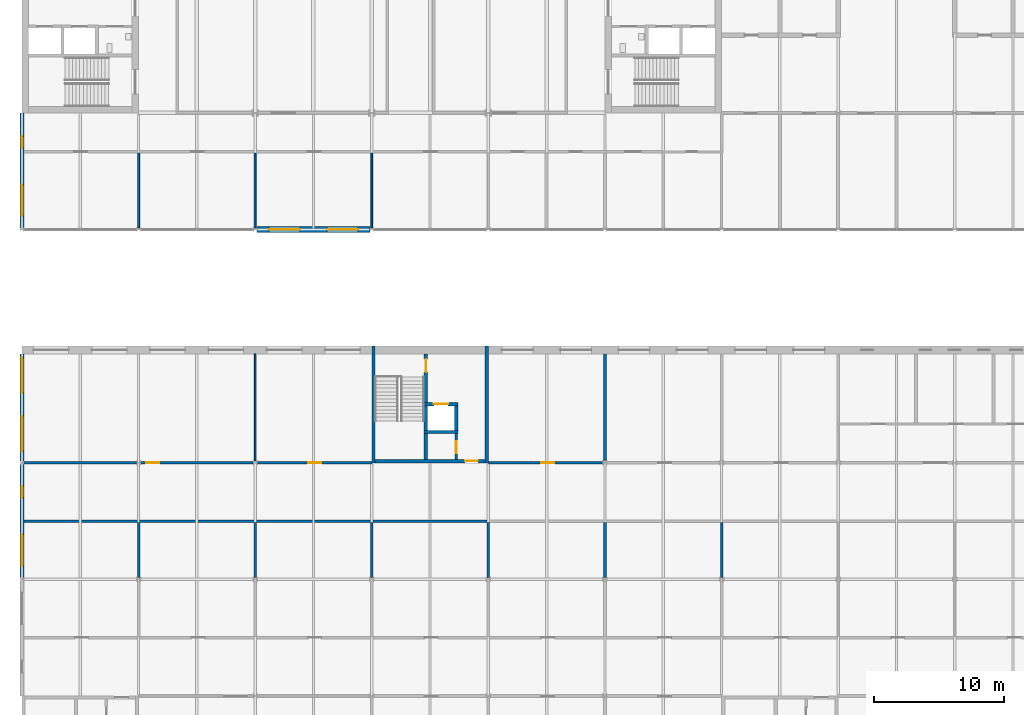
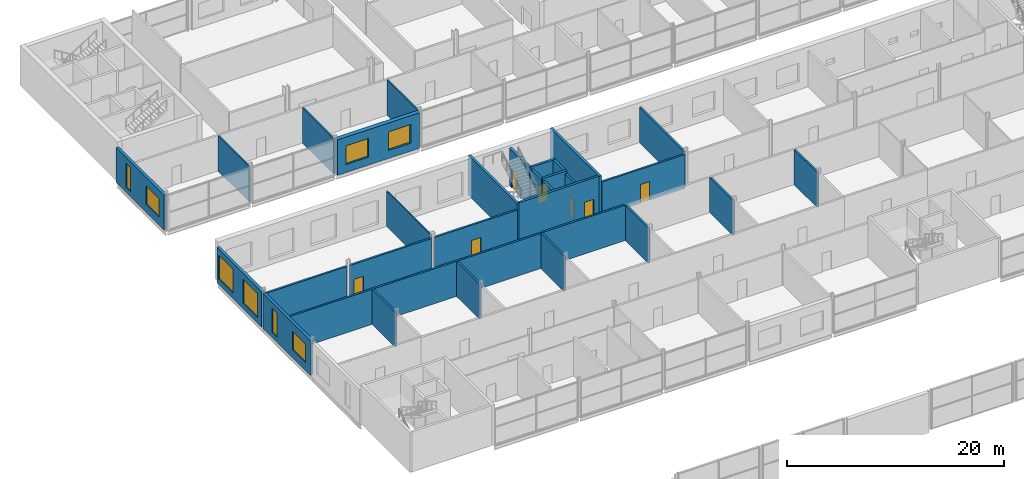
# One storey, part 71 of 97: 29 walls, 8 windows, 7 doors, 15 openings.
"""IFC4 building model written with IfcOpenShell, lengths in metres."""

import ifcopenshell
import ifcopenshell.guid

model = None  # the IFC model being written
_history = None  # IfcOwnerHistory: only IFC2X3 demands one
_inside = {}  # id of a spatial element -> (the spatial element, [elements in it])
_under = {}  # id of a project, library or spatial element -> (it, [spatial elements below it])
_declared = {}  # id of a project -> (the project, [libraries it declares])
_typed = {}  # id of a type object -> (the type object, [elements of that type])
_made_of = {}  # id of a material, layer set ... -> (it, [elements and type objects made of it])


def new_model(schema):
    """Start an empty IFC model of exactly this schema.

    Asked for "IFC4X3", IfcOpenShell would pick the latest addendum, in which some entities
    have other attributes; the version numbers below select the first issue.
    IFC2X3 requires an IfcOwnerHistory on every rooted entity: one is made here for all.
    """
    global model, _history
    if schema == "IFC4X3":
        model = ifcopenshell.file(schema_version=(4, 3, 0, 0))
    else:
        model = ifcopenshell.file(schema=schema)
    _inside.clear()
    _under.clear()
    _declared.clear()
    _typed.clear()
    _made_of.clear()
    _history = None
    if model.schema == "IFC2X3":
        org = make("IfcOrganization", Name="unknown")
        user = make(
            "IfcPersonAndOrganization",
            ThePerson=make("IfcPerson", FamilyName="unknown"),
            TheOrganization=org,
        )
        app = make(
            "IfcApplication",
            ApplicationDeveloper=org,
            Version="unknown",
            ApplicationFullName="unknown",
            ApplicationIdentifier="unknown",
        )
        _history = make(
            "IfcOwnerHistory",
            OwningUser=user,
            OwningApplication=app,
            ChangeAction="ADDED",
            CreationDate=0,
        )
    return model


def make(cls, **values):
    """One entity of the class cls with the attributes given. An attribute that is None is left unset."""
    return model.create_entity(
        cls, **{name: value for name, value in values.items() if value is not None}
    )


def rooted(cls, **values):
    """An entity with a GlobalId (a new one), such as an element, a storey or a relation."""
    return make(cls, GlobalId=ifcopenshell.guid.new(), OwnerHistory=_history, **values)


def si_unit(unit_type, name, prefix=None):
    """IfcSIUnit, for example si_unit("LENGTHUNIT", "METRE", prefix="MILLI")."""
    return make("IfcSIUnit", UnitType=unit_type, Prefix=prefix, Name=name)


def assignment(units):
    """IfcUnitAssignment: the units of a project."""
    return None if units is None else make("IfcUnitAssignment", Units=units)


def point(xyz):
    """IfcCartesianPoint."""
    return None if xyz is None else make("IfcCartesianPoint", Coordinates=xyz)


def direction(xyz):
    """IfcDirection."""
    return None if xyz is None else make("IfcDirection", DirectionRatios=xyz)


def frame(location, z_axis=None, x_axis=None):
    """IfcAxis2Placement3D, a coordinate frame: its origin and axes. An axis left out is left unset."""
    return make(
        "IfcAxis2Placement3D",
        Location=point(location),
        Axis=direction(z_axis),
        RefDirection=direction(x_axis),
    )


def frame_2d(location, x_axis=None):
    """IfcAxis2Placement2D, a coordinate frame in the plane: its origin and x axis."""
    return make(
        "IfcAxis2Placement2D", Location=point(location), RefDirection=direction(x_axis)
    )


def origin():
    """The frame at (0, 0, 0) with its axes left unset."""
    return frame((0.0, 0.0, 0.0))


def place(relative_to, where):
    """IfcLocalPlacement: puts the frame where relative to a parent placement (None: the world)."""
    return make(
        "IfcLocalPlacement", PlacementRelTo=relative_to, RelativePlacement=where
    )


def context(
    kind, dimensions, precision=None, world=None, true_north=None, identifier=None
):
    """IfcGeometricRepresentationContext, for example the 3D "Model" context."""
    return make(
        "IfcGeometricRepresentationContext",
        ContextIdentifier=identifier,
        ContextType=kind,
        CoordinateSpaceDimension=dimensions,
        Precision=precision,
        WorldCoordinateSystem=world,
        TrueNorth=true_north,
    )


def subcontext(parent, identifier, kind, view, scale=None):
    """IfcGeometricRepresentationSubContext, for example "Body" below "Model"."""
    return make(
        "IfcGeometricRepresentationSubContext",
        ContextIdentifier=identifier,
        ContextType=kind,
        ParentContext=parent,
        TargetScale=scale,
        TargetView=view,
    )


def project(units=None, contexts=None):
    """IfcProject with its units and contexts."""
    return rooted(
        "IfcProject",
        Name="project",
        RepresentationContexts=contexts,
        UnitsInContext=assignment(units),
    )


def spatial(cls, under=None, at=None, **own):
    """A site, building, storey or space (cls), placed at a placement, below another one or the project."""
    s = rooted(cls, ObjectPlacement=at, **own)
    if under is not None:
        _under.setdefault(under.id(), (under, []))[1].append(s)
    return s


def profile(cls, at=None, kind="AREA", **sizes):
    """A parametric profile (cls). Its sizes go by their IFC names, for example OverallWidth=200.0."""
    return make(cls, ProfileType=kind, Position=at, **sizes)


def rectangle(**sizes):
    """IfcRectangleProfileDef."""
    return profile("IfcRectangleProfileDef", **sizes)


def extrude(swept, where, along, depth):
    """IfcExtrudedAreaSolid: the profile swept, set in the frame where, extruded along a direction by depth."""
    return make(
        "IfcExtrudedAreaSolid",
        SweptArea=swept,
        Position=where,
        ExtrudedDirection=direction(along),
        Depth=depth,
    )


def shape(context_of_items, identifier, shape_type, items):
    """IfcShapeRepresentation: the items that make up one representation, for example the "Body"."""
    return make(
        "IfcShapeRepresentation",
        ContextOfItems=context_of_items,
        RepresentationIdentifier=identifier,
        RepresentationType=shape_type,
        Items=items,
    )


def material(Name=None, Category=None):
    """IfcMaterial."""
    return make("IfcMaterial", Name=Name, Category=Category)


def layer(
    of_material, thickness, ventilated=None, Name=None, Category=None, Priority=None
):
    """IfcMaterialLayer: one layer of a wall or slab, of a material (None: an air gap)."""
    return make(
        "IfcMaterialLayer",
        Material=of_material,
        LayerThickness=thickness,
        IsVentilated=ventilated,
        Name=Name,
        Category=Category,
        Priority=Priority,
    )


def layer_set(layers, Name=None):
    """IfcMaterialLayerSet."""
    return make("IfcMaterialLayerSet", MaterialLayers=layers, LayerSetName=Name)


def made_of(thing, what):
    """Note that an element or type object is made of a material, layer set ...; save() writes the relation."""
    if what is not None:
        _made_of.setdefault(what.id(), (what, []))[1].append(thing)
    return thing


def type_object(cls, material=None, **own):
    """A type object (cls), such as IfcWallType, which elements share."""
    return made_of(rooted(cls, **own), material)


def element(
    cls,
    number,
    at=None,
    inside=None,
    cuts=None,
    type_object=None,
    material=None,
    context=None,
    identifier="Body",
    shape_type=None,
    held_by="IfcProductDefinitionShape",
    body=None,
    shapes=None,
    **own,
):
    """One element of the class cls, such as IfcWall. Its Tag is "e" and its number.

    at: its placement. inside: the storey or other place that contains it. cuts: it is an
    opening in that element (IfcRelVoidsElement). A single representation is given by context,
    identifier, shape_type and body (its items); several are given by shapes. held_by: the class
    of the entity that holds the representations. save() writes the other relations.
    """
    e = rooted(cls, Tag="e%d" % number, ObjectPlacement=at, **own)
    if body is not None:
        shapes = [shape(context, identifier, shape_type, body)]
    if shapes is not None:
        e.Representation = make(held_by, Representations=shapes)
    if inside is not None:
        _inside.setdefault(inside.id(), (inside, []))[1].append(e)
    if cuts is not None:
        rooted(
            "IfcRelVoidsElement", RelatingBuildingElement=cuts, RelatedOpeningElement=e
        )
    if type_object is not None:
        _typed.setdefault(type_object.id(), (type_object, []))[1].append(e)
    return made_of(e, material)


def fill(opening, filler):
    """IfcRelFillsElement: the door or window that sits in an opening."""
    return rooted(
        "IfcRelFillsElement",
        RelatingOpeningElement=opening,
        RelatedBuildingElement=filler,
    )


def aggregate(whole, parts):
    """IfcRelAggregates: a whole, such as a stair, and the parts it consists of."""
    return rooted("IfcRelAggregates", RelatingObject=whole, RelatedObjects=parts)


def save(model, path):
    """Write the relations noted so far, then the file.

    IfcRelAggregates (storeys below a building ...), IfcRelContainedInSpatialStructure (elements
    in a storey), IfcRelDefinesByType, IfcRelAssociatesMaterial and IfcRelDeclares: one each for
    every whole, place, type object, material and project.
    """
    for whole, parts in _under.values():
        aggregate(whole, parts)
    for where, things in _inside.values():
        rooted(
            "IfcRelContainedInSpatialStructure",
            RelatedElements=things,
            RelatingStructure=where,
        )
    for kind, things in _typed.values():
        rooted("IfcRelDefinesByType", RelatedObjects=things, RelatingType=kind)
    for what, things in _made_of.values():
        rooted("IfcRelAssociatesMaterial", RelatedObjects=things, RelatingMaterial=what)
    for by, libraries in _declared.values():
        rooted("IfcRelDeclares", RelatingContext=by, RelatedDefinitions=libraries)
    model.write(path)


model = new_model("IFC4")

# Units and contexts
model_context = context("Model", 3, precision=1e-05, world=origin(), true_north=direction((0.0, 1.0)))
body_context = subcontext(model_context, "Body", "Model", "MODEL_VIEW")
ifc_project = project(units=[si_unit("LENGTHUNIT", "METRE"), si_unit("AREAUNIT", "SQUARE_METRE"), si_unit("VOLUMEUNIT", "CUBIC_METRE"), si_unit("PLANEANGLEUNIT", "RADIAN"), si_unit("MASSUNIT", "GRAM", prefix="KILO")], contexts=[model_context])

# Site, building, storey
site_placement = place(None, origin())
site = spatial("IfcSite", under=ifc_project, at=site_placement, CompositionType="ELEMENT")
building_placement = place(site_placement, origin())
building = spatial("IfcBuilding", under=site, at=building_placement, Name="Corbel Yard City Hall", CompositionType="ELEMENT")
storey_placement = place(building_placement, frame((0.0, 0.0, 6.0)))
storey = spatial("IfcBuildingStorey", under=building, at=storey_placement, Name="L01", CompositionType="ELEMENT", Elevation=6.0)

# Walls
ifc_material_1 = material(Name="Concrete N50 (50 MPa)", Category="concrete")
ifc_layer_1 = layer(ifc_material_1, 0.25)
ifc_layer_set_1 = layer_set([ifc_layer_1], Name="Concrete N50 (50 MPa)")
wall_type_1 = type_object("IfcWallType", Name="Core cell wall 250", PredefinedType="SHEAR", material=ifc_layer_set_1)
for number, where, z_axis, x_axis, name in (
    (1, (27.125, 72.0, 0.0), (0.0, 0.0, 1.0), (0.0, 1.0, 0.0), "Core PC-M6 west wall"),
    (2, (35.875, 72.0, 0.0), (0.0, 0.0, 1.0), (0.0, 1.0, 0.0), "Core PC-M6 east wall"),
):
    element("IfcWall", number, at=place(storey_placement, frame(where, z_axis=z_axis, x_axis=x_axis)), inside=storey, type_object=wall_type_1, Name=name, PredefinedType="SHEAR", context=body_context, shape_type="SweptSolid", body=[
        extrude(rectangle(XDim=9.0, YDim=0.25, at=frame_2d((4.5, 0.0))), origin(), (0.0, 0.0, 1.0), 4.5),
    ])

# Wall, opening, door
wall_1_placement = place(storey_placement, frame((27.25, 72.125, 0.0), z_axis=(0.0, 0.0, 1.0), x_axis=(1.0, 0.0, 0.0)))
wall_1 = element("IfcWall", 3, at=wall_1_placement, inside=storey, type_object=wall_type_1, Name="Core PC-M6 south wall", PredefinedType="SHEAR", context=body_context, shape_type="SweptSolid", body=[
    extrude(rectangle(XDim=8.5, YDim=0.25, at=frame_2d((4.25, 0.0))), origin(), (0.0, 0.0, 1.0), 4.5),
])
opening_1_placement = place(wall_1_placement, frame((6.949951171875, 0.0, 0.0)))
opening_1 = element("IfcOpeningElement", 4, at=opening_1_placement, cuts=wall_1, Name="Opening L01-065", PredefinedType="OPENING", context=body_context, shape_type="SweptSolid", body=[
    extrude(rectangle(XDim=1.0, YDim=2.10009765625, at=frame_2d((0.5, 1.050048828125))), frame((0.0, 0.135009765625, 0.0), z_axis=(0.0, -1.0, 0.0), x_axis=(1.0, 0.0, 0.0)), (0.0, 0.0, 1.0), 0.27001953125),
])
ifc_material_2 = material(Name="Steel Grade G250", Category="steel")
door_type_1 = type_object("IfcDoorType", Name="FS1", OperationType="SINGLE_SWING_LEFT", PredefinedType="DOOR", material=ifc_material_2)
door_1_placement = place(opening_1_placement, origin())
door_1 = element("IfcDoor", 5, at=door_1_placement, inside=storey, type_object=door_type_1, Name="Door Lift Lobby", OperationType="SINGLE_SWING_LEFT", OverallHeight=2.10009765625, OverallWidth=1.0, PredefinedType="DOOR", context=body_context, shape_type="SweptSolid", body=[
    extrude(rectangle(XDim=1.0, YDim=2.10009765625, at=frame_2d((0.5, 1.050048828125))), frame((0.0, 0.02490234375, 0.0), z_axis=(0.0, -1.0, 0.0), x_axis=(1.0, 0.0, 0.0)), (0.0, 0.0, 1.0), 0.050048828125),
])
fill(opening_1, door_1)

# Wall, openings, windows
ifc_material_3 = material(Name="Sandstone cladding", Category="masonry")
ifc_layer_2 = layer(ifc_material_3, 0.0400390625)
ifc_material_4 = material(Name="Air cavity", Category="air")
ifc_layer_3 = layer(ifc_material_4, 0.0400390625)
ifc_material_5 = material(Name="Concrete block", Category="concrete")
ifc_layer_4 = layer(ifc_material_5, 0.18994140625)
ifc_material_6 = material(Name="Gypsum plasterboard", Category="gypsum")
ifc_layer_5 = layer(ifc_material_6, 0.030029296875)
ifc_layer_set_2 = layer_set([ifc_layer_2, ifc_layer_3, ifc_layer_4, ifc_layer_5], Name="Concrete block")
wall_type_2 = type_object("IfcWallType", Name="EW1", PredefinedType="SOLIDWALL", material=ifc_layer_set_2)
wall_2_placement = place(storey_placement, frame((0.0, 63.1279296875, 0.0), z_axis=(0.0, 0.0, 1.0), x_axis=(0.0, 1.0, 0.0)))
wall_2 = element("IfcWall", 6, at=wall_2_placement, inside=storey, type_object=wall_type_2, Name="External wall", PredefinedType="SOLIDWALL", context=body_context, shape_type="SweptSolid", body=[
    extrude(rectangle(XDim=8.744140625, YDim=0.300048828125, at=frame_2d((4.3720703125, 0.0))), origin(), (0.0, 0.0, 1.0), 3.947021484375),
])
opening_2_placement = place(wall_2_placement, frame((0.922119140625, 0.0, 0.89990234375)))
opening_2 = element("IfcOpeningElement", 7, at=opening_2_placement, cuts=wall_2, Name="Opening WN8", PredefinedType="OPENING", context=body_context, shape_type="SweptSolid", body=[
    extrude(rectangle(XDim=2.39990234375, YDim=2.10009765625, at=frame_2d((1.199951171875, 1.050048828125))), frame((0.0, 0.159912109375, 0.0), z_axis=(0.0, -1.0, 0.0), x_axis=(1.0, 0.0, 0.0)), (0.0, 0.0, 1.0), 0.320068359375),
])
opening_3_placement = place(wall_2_placement, frame((6.172119140625, 0.0, 0.60009765625)))
opening_3 = element("IfcOpeningElement", 8, at=opening_3_placement, cuts=wall_2, Name="Opening WN14", PredefinedType="OPENING", context=body_context, shape_type="SweptSolid", body=[
    extrude(rectangle(XDim=0.89990234375, YDim=2.699951171875, at=frame_2d((0.449951171875, 1.35009765625))), frame((0.0, 0.159912109375, 0.0), z_axis=(0.0, -1.0, 0.0), x_axis=(1.0, 0.0, 0.0)), (0.0, 0.0, 1.0), 0.320068359375),
])
ifc_material_7 = material(Name="Aluminium frame, double glazed low-e glass", Category="aluminium")
window_type_1 = type_object("IfcWindowType", Name="WN14", PartitioningType="SINGLE_PANEL", PredefinedType="WINDOW", material=ifc_material_7)
window_1_placement = place(opening_3_placement, origin())
window_1 = element("IfcWindow", 9, at=window_1_placement, inside=storey, type_object=window_type_1, Name="Window WN14 L01", OverallHeight=2.699951171875, OverallWidth=0.89990234375, PartitioningType="SINGLE_PANEL", PredefinedType="WINDOW", context=body_context, shape_type="SweptSolid", body=[
    extrude(rectangle(XDim=0.89990234375, YDim=2.699951171875, at=frame_2d((0.449951171875, 1.35009765625))), frame((0.0, 0.030029296875, 0.0), z_axis=(0.0, -1.0, 0.0), x_axis=(1.0, 0.0, 0.0)), (0.0, 0.0, 1.0), 0.06005859375),
])
fill(opening_3, window_1)
window_type_2 = type_object("IfcWindowType", Name="WN8", PartitioningType="SINGLE_PANEL", PredefinedType="WINDOW", material=ifc_material_7)
window_2_placement = place(opening_2_placement, origin())
window_2 = element("IfcWindow", 10, at=window_2_placement, inside=storey, type_object=window_type_2, Name="Window WN8 L01", OverallHeight=2.10009765625, OverallWidth=2.39990234375, PartitioningType="SINGLE_PANEL", PredefinedType="WINDOW", context=body_context, shape_type="SweptSolid", body=[
    extrude(rectangle(XDim=2.39990234375, YDim=2.10009765625, at=frame_2d((1.199951171875, 1.050048828125))), frame((0.0, 0.030029296875, 0.0), z_axis=(0.0, -1.0, 0.0), x_axis=(1.0, 0.0, 0.0)), (0.0, 0.0, 1.0), 0.06005859375),
])
fill(opening_2, window_2)

wall_3_placement = place(storey_placement, frame((0.0, 72.1279296875, 0.0), z_axis=(0.0, 0.0, 1.0), x_axis=(0.0, 1.0, 0.0)))
wall_3 = element("IfcWall", 11, at=wall_3_placement, inside=storey, type_object=wall_type_2, Name="External wall", PredefinedType="SOLIDWALL", context=body_context, shape_type="SweptSolid", body=[
    extrude(rectangle(XDim=8.27197265625, YDim=0.300048828125, at=frame_2d((4.135986328125, 0.0))), origin(), (0.0, 0.0, 1.0), 3.990966796875),
])
opening_4_placement = place(wall_3_placement, frame((0.77197265625, 0.0, 0.60009765625)))
opening_4 = element("IfcOpeningElement", 12, at=opening_4_placement, cuts=wall_3, Name="Opening WN18", PredefinedType="OPENING", context=body_context, shape_type="SweptSolid", body=[
    extrude(rectangle(XDim=2.699951171875, YDim=2.699951171875, at=frame_2d((1.35009765625, 1.35009765625))), frame((0.0, 0.159912109375, 0.0), z_axis=(0.0, -1.0, 0.0), x_axis=(1.0, 0.0, 0.0)), (0.0, 0.0, 1.0), 0.320068359375),
])
opening_5_placement = place(wall_3_placement, frame((5.27197265625, 0.0, 0.60009765625)))
opening_5 = element("IfcOpeningElement", 13, at=opening_5_placement, cuts=wall_3, Name="Opening WN18", PredefinedType="OPENING", context=body_context, shape_type="SweptSolid", body=[
    extrude(rectangle(XDim=2.699951171875, YDim=2.699951171875, at=frame_2d((1.35009765625, 1.35009765625))), frame((0.0, 0.159912109375, 0.0), z_axis=(0.0, -1.0, 0.0), x_axis=(1.0, 0.0, 0.0)), (0.0, 0.0, 1.0), 0.320068359375),
])
window_type_3 = type_object("IfcWindowType", Name="WN18", PartitioningType="SINGLE_PANEL", PredefinedType="WINDOW", material=ifc_material_7)
window_3_placement = place(opening_4_placement, origin())
window_3 = element("IfcWindow", 14, at=window_3_placement, inside=storey, type_object=window_type_3, Name="Window WN18 L01", OverallHeight=2.699951171875, OverallWidth=2.699951171875, PartitioningType="SINGLE_PANEL", PredefinedType="WINDOW", context=body_context, shape_type="SweptSolid", body=[
    extrude(rectangle(XDim=2.699951171875, YDim=2.699951171875, at=frame_2d((1.35009765625, 1.35009765625))), frame((0.0, 0.030029296875, 0.0), z_axis=(0.0, -1.0, 0.0), x_axis=(1.0, 0.0, 0.0)), (0.0, 0.0, 1.0), 0.06005859375),
])
fill(opening_4, window_3)
window_4_placement = place(opening_5_placement, origin())
window_4 = element("IfcWindow", 15, at=window_4_placement, inside=storey, type_object=window_type_3, Name="Window WN18 L01", OverallHeight=2.699951171875, OverallWidth=2.699951171875, PartitioningType="SINGLE_PANEL", PredefinedType="WINDOW", context=body_context, shape_type="SweptSolid", body=[
    extrude(rectangle(XDim=2.699951171875, YDim=2.699951171875, at=frame_2d((1.35009765625, 1.35009765625))), frame((0.0, 0.030029296875, 0.0), z_axis=(0.0, -1.0, 0.0), x_axis=(1.0, 0.0, 0.0)), (0.0, 0.0, 1.0), 0.06005859375),
])
fill(opening_5, window_4)

wall_4_placement = place(storey_placement, frame((0.0, 90.1279296875, 0.0), z_axis=(0.0, 0.0, 1.0), x_axis=(0.0, 1.0, 0.0)))
wall_4 = element("IfcWall", 16, at=wall_4_placement, inside=storey, type_object=wall_type_2, Name="External wall", PredefinedType="SOLIDWALL", context=body_context, shape_type="SweptSolid", body=[
    extrude(rectangle(XDim=8.8720703125, YDim=0.300048828125, at=frame_2d((4.43603515625, 0.0))), origin(), (0.0, 0.0, 1.0), 3.947021484375),
])
opening_6_placement = place(wall_4_placement, frame((0.922119140625, 0.0, 0.89990234375)))
opening_6 = element("IfcOpeningElement", 17, at=opening_6_placement, cuts=wall_4, Name="Opening WN8", PredefinedType="OPENING", context=body_context, shape_type="SweptSolid", body=[
    extrude(rectangle(XDim=2.39990234375, YDim=2.10009765625, at=frame_2d((1.199951171875, 1.050048828125))), frame((0.0, 0.159912109375, 0.0), z_axis=(0.0, -1.0, 0.0), x_axis=(1.0, 0.0, 0.0)), (0.0, 0.0, 1.0), 0.320068359375),
])
opening_7_placement = place(wall_4_placement, frame((6.172119140625, 0.0, 0.60009765625)))
opening_7 = element("IfcOpeningElement", 18, at=opening_7_placement, cuts=wall_4, Name="Opening WN14", PredefinedType="OPENING", context=body_context, shape_type="SweptSolid", body=[
    extrude(rectangle(XDim=0.89990234375, YDim=2.699951171875, at=frame_2d((0.449951171875, 1.35009765625))), frame((0.0, 0.159912109375, 0.0), z_axis=(0.0, -1.0, 0.0), x_axis=(1.0, 0.0, 0.0)), (0.0, 0.0, 1.0), 0.320068359375),
])
window_5_placement = place(opening_7_placement, origin())
window_5 = element("IfcWindow", 19, at=window_5_placement, inside=storey, type_object=window_type_1, Name="Window WN14 L01", OverallHeight=2.699951171875, OverallWidth=0.89990234375, PartitioningType="SINGLE_PANEL", PredefinedType="WINDOW", context=body_context, shape_type="SweptSolid", body=[
    extrude(rectangle(XDim=0.89990234375, YDim=2.699951171875, at=frame_2d((0.449951171875, 1.35009765625))), frame((0.0, 0.030029296875, 0.0), z_axis=(0.0, -1.0, 0.0), x_axis=(1.0, 0.0, 0.0)), (0.0, 0.0, 1.0), 0.06005859375),
])
fill(opening_7, window_5)
window_6_placement = place(opening_6_placement, origin())
window_6 = element("IfcWindow", 20, at=window_6_placement, inside=storey, type_object=window_type_2, Name="Window WN8 L01", OverallHeight=2.10009765625, OverallWidth=2.39990234375, PartitioningType="SINGLE_PANEL", PredefinedType="WINDOW", context=body_context, shape_type="SweptSolid", body=[
    extrude(rectangle(XDim=2.39990234375, YDim=2.10009765625, at=frame_2d((1.199951171875, 1.050048828125))), frame((0.0, 0.030029296875, 0.0), z_axis=(0.0, -1.0, 0.0), x_axis=(1.0, 0.0, 0.0)), (0.0, 0.0, 1.0), 0.06005859375),
])
fill(opening_6, window_6)

ifc_layer_6 = layer(ifc_material_3, 0.06005859375)
ifc_layer_7 = layer(ifc_material_4, 0.0400390625)
ifc_material_8 = material(Name="Concrete N40 (40 MPa)", Category="concrete")
ifc_layer_8 = layer(ifc_material_8, 0.25)
ifc_material_9 = material(Name="Mineral wool", Category="insulation")
ifc_layer_9 = layer(ifc_material_9, 0.10009765625)
ifc_layer_set_3 = layer_set([ifc_layer_6, ifc_layer_7, ifc_layer_8, ifc_layer_9], Name="Concrete N40 (40 MPa)")
wall_type_3 = type_object("IfcWallType", Name="EW2", PredefinedType="SOLIDWALL", material=ifc_layer_set_3)
wall_5_placement = place(storey_placement, frame((18.1298828125, 90.0, 0.0), z_axis=(0.0, 0.0, 1.0), x_axis=(1.0, 0.0, 0.0)))
wall_5 = element("IfcWall", 21, at=wall_5_placement, inside=storey, type_object=wall_type_3, Name="Entrance pier wall", PredefinedType="SOLIDWALL", context=body_context, shape_type="SweptSolid", body=[
    extrude(rectangle(XDim=8.740234375, YDim=0.449951171875, at=frame_2d((4.3701171875, 0.0))), origin(), (0.0, 0.0, 1.0), 3.990966796875),
])
opening_8_placement = place(wall_5_placement, frame((0.919921875, 0.0, 0.89990234375)))
opening_8 = element("IfcOpeningElement", 22, at=opening_8_placement, cuts=wall_5, Name="Opening WN8", PredefinedType="OPENING", context=body_context, shape_type="SweptSolid", body=[
    extrude(rectangle(XDim=2.39990234375, YDim=2.10009765625, at=frame_2d((1.199951171875, 1.050048828125))), frame((0.0, 0.23486328125, 0.0), z_axis=(0.0, -1.0, 0.0), x_axis=(1.0, 0.0, 0.0)), (0.0, 0.0, 1.0), 0.469970703125),
])
opening_9_placement = place(wall_5_placement, frame((5.419921875, 0.0, 0.89990234375)))
opening_9 = element("IfcOpeningElement", 23, at=opening_9_placement, cuts=wall_5, Name="Opening WN8", PredefinedType="OPENING", context=body_context, shape_type="SweptSolid", body=[
    extrude(rectangle(XDim=2.39990234375, YDim=2.10009765625, at=frame_2d((1.199951171875, 1.050048828125))), frame((0.0, 0.23486328125, 0.0), z_axis=(0.0, -1.0, 0.0), x_axis=(1.0, 0.0, 0.0)), (0.0, 0.0, 1.0), 0.469970703125),
])
window_7_placement = place(opening_8_placement, origin())
window_7 = element("IfcWindow", 24, at=window_7_placement, inside=storey, type_object=window_type_2, Name="Window WN8 L01", OverallHeight=2.10009765625, OverallWidth=2.39990234375, PartitioningType="SINGLE_PANEL", PredefinedType="WINDOW", context=body_context, shape_type="SweptSolid", body=[
    extrude(rectangle(XDim=2.39990234375, YDim=2.10009765625, at=frame_2d((1.199951171875, 1.050048828125))), frame((0.0, 0.030029296875, 0.0), z_axis=(0.0, -1.0, 0.0), x_axis=(1.0, 0.0, 0.0)), (0.0, 0.0, 1.0), 0.06005859375),
])
fill(opening_8, window_7)
window_8_placement = place(opening_9_placement, origin())
window_8 = element("IfcWindow", 25, at=window_8_placement, inside=storey, type_object=window_type_2, Name="Window WN8 L01", OverallHeight=2.10009765625, OverallWidth=2.39990234375, PartitioningType="SINGLE_PANEL", PredefinedType="WINDOW", context=body_context, shape_type="SweptSolid", body=[
    extrude(rectangle(XDim=2.39990234375, YDim=2.10009765625, at=frame_2d((1.199951171875, 1.050048828125))), frame((0.0, 0.030029296875, 0.0), z_axis=(0.0, -1.0, 0.0), x_axis=(1.0, 0.0, 0.0)), (0.0, 0.0, 1.0), 0.06005859375),
])
fill(opening_9, window_8)

# Wall, opening, door
ifc_layer_10 = layer(ifc_material_8, 0.25)
ifc_layer_set_4 = layer_set([ifc_layer_10], Name="Concrete N40 (40 MPa)")
wall_type_4 = type_object("IfcWallType", Name="IW2", PredefinedType="SOLIDWALL", material=ifc_layer_set_4)
wall_6_placement = place(storey_placement, frame((31.175048828125, 80.39990234375, 0.0), z_axis=(0.0, 0.0, 1.0), x_axis=(0.0, -1.0, 0.0)))
wall_6 = element("IfcWall", 26, at=wall_6_placement, inside=storey, type_object=wall_type_4, Name="Stair enclosure wall", PredefinedType="SOLIDWALL", context=body_context, shape_type="SweptSolid", body=[
    extrude(rectangle(XDim=8.14990234375, YDim=0.25, at=frame_2d((4.074951171875, 0.0))), origin(), (0.0, 0.0, 1.0), 4.25),
])
opening_10_placement = place(wall_6_placement, frame((0.39990234375, 0.0, 0.0)))
opening_10 = element("IfcOpeningElement", 27, at=opening_10_placement, cuts=wall_6, Name="Opening L01-064", PredefinedType="OPENING", context=body_context, shape_type="SweptSolid", body=[
    extrude(rectangle(XDim=1.0, YDim=2.10009765625, at=frame_2d((0.5, 1.050048828125))), frame((0.0, 0.135009765625, 0.0), z_axis=(0.0, -1.0, 0.0), x_axis=(1.0, 0.0, 0.0)), (0.0, 0.0, 1.0), 0.27001953125),
])
door_2_placement = place(opening_10_placement, frame((1.0, 0.0, 0.0), z_axis=(0.0, 0.0, 1.0), x_axis=(-1.0, 0.0, 0.0)))
door_2 = element("IfcDoor", 28, at=door_2_placement, inside=storey, type_object=door_type_1, Name="Door Exit Stair 13", OperationType="SINGLE_SWING_RIGHT", OverallHeight=2.10009765625, OverallWidth=1.0, PredefinedType="DOOR", context=body_context, shape_type="SweptSolid", body=[
    extrude(rectangle(XDim=1.0, YDim=2.10009765625, at=frame_2d((0.5, 1.050048828125))), frame((0.0, 0.02490234375, 0.0), z_axis=(0.0, -1.0, 0.0), x_axis=(1.0, 0.0, 0.0)), (0.0, 0.0, 1.0), 0.050048828125),
])
fill(opening_10, door_2)

# Wall
wall_7_placement = place(storey_placement, frame((31.050048828125, 74.375, 0.0), z_axis=(0.0, 0.0, 1.0), x_axis=(1.0, 0.0, 0.0)))
element("IfcWall", 29, at=wall_7_placement, inside=storey, type_object=wall_type_4, Name="Lift LP13 shaft wall", PredefinedType="SOLIDWALL", context=body_context, shape_type="SweptSolid", body=[
    extrude(rectangle(XDim=2.599853515625, YDim=0.25, at=frame_2d((1.2998046875, 0.0))), origin(), (0.0, 0.0, 1.0), 4.5),
])

# Wall, opening, door
wall_8_placement = place(storey_placement, frame((31.050048828125, 76.52490234375, 0.0), z_axis=(0.0, 0.0, 1.0), x_axis=(1.0, 0.0, 0.0)))
wall_8 = element("IfcWall", 30, at=wall_8_placement, inside=storey, type_object=wall_type_4, Name="Lift LP13 shaft wall", PredefinedType="SOLIDWALL", context=body_context, shape_type="SweptSolid", body=[
    extrude(rectangle(XDim=2.599853515625, YDim=0.25, at=frame_2d((1.2998046875, 0.0))), origin(), (0.0, 0.0, 1.0), 4.5),
])
opening_11_placement = place(wall_8_placement, frame((0.75, 0.0, 0.0)))
opening_11 = element("IfcOpeningElement", 31, at=opening_11_placement, cuts=wall_8, Name="Opening L01-055", PredefinedType="OPENING", context=body_context, shape_type="SweptSolid", body=[
    extrude(rectangle(XDim=1.10009765625, YDim=2.10009765625, at=frame_2d((0.550048828125, 1.050048828125))), frame((0.0, 0.135009765625, 0.0), z_axis=(0.0, -1.0, 0.0), x_axis=(1.0, 0.0, 0.0)), (0.0, 0.0, 1.0), 0.27001953125),
])
ifc_material_10 = material(Name="Stainless steel Grade 316", Category="steel")
door_type_2 = type_object("IfcDoorType", Name="LD1", OperationType="DOUBLE_DOOR_SLIDING", PredefinedType="DOOR", material=ifc_material_10)
door_3_placement = place(opening_11_placement, origin())
door_3 = element("IfcDoor", 32, at=door_3_placement, inside=storey, type_object=door_type_2, Name="Lift LP13 landing door", OperationType="DOUBLE_DOOR_SLIDING", OverallHeight=2.10009765625, OverallWidth=1.10009765625, PredefinedType="DOOR", context=body_context, shape_type="SweptSolid", body=[
    extrude(rectangle(XDim=1.10009765625, YDim=2.10009765625, at=frame_2d((0.550048828125, 1.050048828125))), frame((0.0, 0.02490234375, 0.0), z_axis=(0.0, -1.0, 0.0), x_axis=(1.0, 0.0, 0.0)), (0.0, 0.0, 1.0), 0.050048828125),
])
fill(opening_11, door_3)

# Walls
wall_9_placement = place(storey_placement, frame((33.52490234375, 74.5, 0.0), z_axis=(0.0, 0.0, 1.0), x_axis=(0.0, 1.0, 0.0)))
element("IfcWall", 33, at=wall_9_placement, inside=storey, type_object=wall_type_4, Name="Lift LP13 shaft wall", PredefinedType="SOLIDWALL", context=body_context, shape_type="SweptSolid", body=[
    extrude(rectangle(XDim=1.89990234375, YDim=0.25, at=frame_2d((0.949951171875, 0.0))), origin(), (0.0, 0.0, 1.0), 4.5),
])
ifc_layer_11 = layer(ifc_material_6, 0.028076171875)
ifc_material_11 = material(Name="Steel Grade G550 (550 MPa yield)", Category="steel")
ifc_layer_12 = layer(ifc_material_11, 0.06396484375)
ifc_layer_13 = layer(ifc_material_6, 0.028076171875)
ifc_layer_set_5 = layer_set([ifc_layer_11, ifc_layer_12, ifc_layer_13], Name="Steel Grade G550 (550 MPa yield)")
wall_type_5 = type_object("IfcWallType", Name="PT1", PredefinedType="PARTITIONING", material=ifc_layer_set_5)
wall_10_placement = place(storey_placement, frame((18.0, 72.157470703125, 0.0), z_axis=(0.0, 0.0, 1.0), x_axis=(0.0, 1.0, 0.0)))
element("IfcWall", 34, at=wall_10_placement, inside=storey, type_object=wall_type_5, Name="Partition", PredefinedType="PARTITIONING", context=body_context, shape_type="SweptSolid", body=[
    extrude(rectangle(XDim=8.242431640625, YDim=0.1201171875, at=frame_2d((4.12109375, 0.0))), origin(), (0.0, 0.0, 1.0), 3.998046875),
])
ifc_layer_14 = layer(ifc_material_6, 0.031982421875)
ifc_layer_15 = layer(ifc_material_11, 0.135986328125)
ifc_layer_16 = layer(ifc_material_6, 0.031982421875)
ifc_layer_set_6 = layer_set([ifc_layer_14, ifc_layer_15, ifc_layer_16], Name="Steel Grade G550 (550 MPa yield)")
wall_type_6 = type_object("IfcWallType", Name="PT2", PredefinedType="PARTITIONING", material=ifc_layer_set_6)
wall_11_placement = place(storey_placement, frame((0.14990234375, 67.5, 0.0), z_axis=(0.0, 0.0, 1.0), x_axis=(1.0, 0.0, 0.0)))
element("IfcWall", 35, at=wall_11_placement, inside=storey, type_object=wall_type_6, Name="Acoustic wall", PredefinedType="PARTITIONING", context=body_context, shape_type="SweptSolid", body=[
    extrude(rectangle(XDim=26.9501953125, YDim=0.199951171875, at=frame_2d((13.47509765625, 0.0))), origin(), (0.0, 0.0, 1.0), 3.947021484375),
])
wall_12_placement = place(storey_placement, frame((27.10009765625, 67.5, 0.0), z_axis=(0.0, 0.0, 1.0), x_axis=(1.0, 0.0, 0.0)))
element("IfcWall", 36, at=wall_12_placement, inside=storey, type_object=wall_type_6, Name="Acoustic wall", PredefinedType="PARTITIONING", context=body_context, shape_type="SweptSolid", body=[
    extrude(rectangle(XDim=8.7998046875, YDim=0.199951171875, at=frame_2d((4.39990234375, 0.0))), origin(), (0.0, 0.0, 1.0), 3.993896484375),
])
wall_13_placement = place(storey_placement, frame((0.1298828125, 72.0, 0.0), z_axis=(0.0, 0.0, 1.0), x_axis=(1.0, 0.0, 0.0)))
element("IfcWall", 37, at=wall_13_placement, inside=storey, type_object=wall_type_6, Name="Acoustic wall", PredefinedType="PARTITIONING", context=body_context, shape_type="SweptSolid", body=[
    extrude(rectangle(XDim=8.712646484375, YDim=0.199951171875, at=frame_2d((4.3564453125, 0.0))), origin(), (0.0, 0.0, 1.0), 3.822021484375),
])

# Wall, opening, door
wall_14_placement = place(storey_placement, frame((9.157470703125, 72.0, 0.0), z_axis=(0.0, 0.0, 1.0), x_axis=(1.0, 0.0, 0.0)))
wall_14 = element("IfcWall", 38, at=wall_14_placement, inside=storey, type_object=wall_type_6, Name="Acoustic wall", PredefinedType="PARTITIONING", context=body_context, shape_type="SweptSolid", body=[
    extrude(rectangle(XDim=8.68505859375, YDim=0.199951171875, at=frame_2d((4.342529296875, 0.0))), origin(), (0.0, 0.0, 1.0), 3.822021484375),
])
opening_12_placement = place(wall_14_placement, frame((0.4423828125, 0.0, 0.0)))
opening_12 = element("IfcOpeningElement", 39, at=opening_12_placement, cuts=wall_14, Name="Opening L01-086", PredefinedType="OPENING", context=body_context, shape_type="SweptSolid", body=[
    extrude(rectangle(XDim=1.0, YDim=2.10009765625, at=frame_2d((0.5, 1.050048828125))), frame((0.0, 0.10986328125, 0.0), z_axis=(0.0, -1.0, 0.0), x_axis=(1.0, 0.0, 0.0)), (0.0, 0.0, 1.0), 0.219970703125),
])
ifc_material_12 = material(Name="Timber", Category="wood")
door_type_3 = type_object("IfcDoorType", Name="D1", OperationType="SINGLE_SWING_LEFT", PredefinedType="DOOR", material=ifc_material_12)
door_4_placement = place(opening_12_placement, origin())
door_4 = element("IfcDoor", 40, at=door_4_placement, inside=storey, type_object=door_type_3, Name="Door Mayoral Support Suite 1", OperationType="SINGLE_SWING_RIGHT", OverallHeight=2.10009765625, OverallWidth=1.0, PredefinedType="DOOR", context=body_context, shape_type="SweptSolid", body=[
    extrude(rectangle(XDim=1.0, YDim=2.10009765625, at=frame_2d((0.5, 1.050048828125))), frame((0.0, 0.02490234375, 0.0), z_axis=(0.0, -1.0, 0.0), x_axis=(1.0, 0.0, 0.0)), (0.0, 0.0, 1.0), 0.050048828125),
])
fill(opening_12, door_4)

wall_15_placement = place(storey_placement, frame((18.157470703125, 72.0, 0.0), z_axis=(0.0, 0.0, 1.0), x_axis=(1.0, 0.0, 0.0)))
wall_15 = element("IfcWall", 41, at=wall_15_placement, inside=storey, type_object=wall_type_6, Name="Acoustic wall", PredefinedType="PARTITIONING", context=body_context, shape_type="SweptSolid", body=[
    extrude(rectangle(XDim=8.842529296875, YDim=0.199951171875, at=frame_2d((4.42138671875, 0.0))), origin(), (0.0, 0.0, 1.0), 3.822021484375),
])
opening_13_placement = place(wall_15_placement, frame((3.9423828125, 0.0, 0.0)))
opening_13 = element("IfcOpeningElement", 42, at=opening_13_placement, cuts=wall_15, Name="Opening L01-087", PredefinedType="OPENING", context=body_context, shape_type="SweptSolid", body=[
    extrude(rectangle(XDim=1.0, YDim=2.10009765625, at=frame_2d((0.5, 1.050048828125))), frame((0.0, 0.10986328125, 0.0), z_axis=(0.0, -1.0, 0.0), x_axis=(1.0, 0.0, 0.0)), (0.0, 0.0, 1.0), 0.219970703125),
])
door_5_placement = place(opening_13_placement, origin())
door_5 = element("IfcDoor", 43, at=door_5_placement, inside=storey, type_object=door_type_3, Name="Door Mayoral Support Suite 2", OperationType="SINGLE_SWING_RIGHT", OverallHeight=2.10009765625, OverallWidth=1.0, PredefinedType="DOOR", context=body_context, shape_type="SweptSolid", body=[
    extrude(rectangle(XDim=1.0, YDim=2.10009765625, at=frame_2d((0.5, 1.050048828125))), frame((0.0, 0.02490234375, 0.0), z_axis=(0.0, -1.0, 0.0), x_axis=(1.0, 0.0, 0.0)), (0.0, 0.0, 1.0), 0.050048828125),
])
fill(opening_13, door_5)

wall_16_placement = place(storey_placement, frame((36.0, 72.0, 0.0), z_axis=(0.0, 0.0, 1.0), x_axis=(1.0, 0.0, 0.0)))
wall_16 = element("IfcWall", 44, at=wall_16_placement, inside=storey, type_object=wall_type_6, Name="Acoustic wall", PredefinedType="PARTITIONING", context=body_context, shape_type="SweptSolid", body=[
    extrude(rectangle(XDim=8.842529296875, YDim=0.199951171875, at=frame_2d((4.42138671875, 0.0))), origin(), (0.0, 0.0, 1.0), 3.822021484375),
])
opening_14_placement = place(wall_16_placement, frame((4.10009765625, 0.0, 0.0)))
opening_14 = element("IfcOpeningElement", 45, at=opening_14_placement, cuts=wall_16, Name="Opening L01-088", PredefinedType="OPENING", context=body_context, shape_type="SweptSolid", body=[
    extrude(rectangle(XDim=1.0, YDim=2.10009765625, at=frame_2d((0.5, 1.050048828125))), frame((0.0, 0.10986328125, 0.0), z_axis=(0.0, -1.0, 0.0), x_axis=(1.0, 0.0, 0.0)), (0.0, 0.0, 1.0), 0.219970703125),
])
door_6_placement = place(opening_14_placement, origin())
door_6 = element("IfcDoor", 46, at=door_6_placement, inside=storey, type_object=door_type_3, Name="Door Committee Room 13", OperationType="SINGLE_SWING_RIGHT", OverallHeight=2.10009765625, OverallWidth=1.0, PredefinedType="DOOR", context=body_context, shape_type="SweptSolid", body=[
    extrude(rectangle(XDim=1.0, YDim=2.10009765625, at=frame_2d((0.5, 1.050048828125))), frame((0.0, 0.02490234375, 0.0), z_axis=(0.0, -1.0, 0.0), x_axis=(1.0, 0.0, 0.0)), (0.0, 0.0, 1.0), 0.050048828125),
])
fill(opening_14, door_6)

# Walls
for number, where, z_axis, x_axis, name in (
    (47, (9.0, 63.157470703125, 0.0), (0.0, 0.0, 1.0), (0.0, 1.0, 0.0), "Acoustic wall"),
    (48, (18.0, 63.157470703125, 0.0), (0.0, 0.0, 1.0), (0.0, 1.0, 0.0), "Acoustic wall"),
):
    element("IfcWall", number, at=place(storey_placement, frame(where, z_axis=z_axis, x_axis=x_axis)), inside=storey, type_object=wall_type_6, Name=name, PredefinedType="PARTITIONING", context=body_context, shape_type="SweptSolid", body=[
        extrude(rectangle(XDim=4.242431640625, YDim=0.199951171875, at=frame_2d((2.12109375, 0.0))), origin(), (0.0, 0.0, 1.0), 3.947021484375),
    ])
for number, where, z_axis, x_axis, name in (
    (49, (27.0, 63.157470703125, 0.0), (0.0, 0.0, 1.0), (0.0, 1.0, 0.0), "Acoustic wall"),
    (50, (36.0, 63.157470703125, 0.0), (0.0, 0.0, 1.0), (0.0, 1.0, 0.0), "Acoustic wall"),
):
    element("IfcWall", number, at=place(storey_placement, frame(where, z_axis=z_axis, x_axis=x_axis)), inside=storey, type_object=wall_type_6, Name=name, PredefinedType="PARTITIONING", context=body_context, shape_type="SweptSolid", body=[
        extrude(rectangle(XDim=4.242431640625, YDim=0.199951171875, at=frame_2d((2.12109375, 0.0))), origin(), (0.0, 0.0, 1.0), 3.993896484375),
    ])
wall_17_placement = place(storey_placement, frame((45.0, 63.157470703125, 0.0), z_axis=(0.0, 0.0, 1.0), x_axis=(0.0, 1.0, 0.0)))
element("IfcWall", 51, at=wall_17_placement, inside=storey, type_object=wall_type_6, Name="Acoustic wall", PredefinedType="PARTITIONING", context=body_context, shape_type="SweptSolid", body=[
    extrude(rectangle(XDim=4.242431640625, YDim=0.199951171875, at=frame_2d((2.12109375, 0.0))), origin(), (0.0, 0.0, 1.0), 3.947021484375),
])
wall_18_placement = place(storey_placement, frame((45.0, 72.157470703125, 0.0), z_axis=(0.0, 0.0, 1.0), x_axis=(0.0, 1.0, 0.0)))
element("IfcWall", 52, at=wall_18_placement, inside=storey, type_object=wall_type_6, Name="Acoustic wall", PredefinedType="PARTITIONING", context=body_context, shape_type="SweptSolid", body=[
    extrude(rectangle(XDim=8.242431640625, YDim=0.199951171875, at=frame_2d((4.12109375, 0.0))), origin(), (0.0, 0.0, 1.0), 3.998046875),
])
wall_19_placement = place(storey_placement, frame((54.0, 63.157470703125, 0.0), z_axis=(0.0, 0.0, 1.0), x_axis=(0.0, 1.0, 0.0)))
element("IfcWall", 53, at=wall_19_placement, inside=storey, type_object=wall_type_6, Name="Acoustic wall", PredefinedType="PARTITIONING", context=body_context, shape_type="SweptSolid", body=[
    extrude(rectangle(XDim=4.242431640625, YDim=0.199951171875, at=frame_2d((2.12109375, 0.0))), origin(), (0.0, 0.0, 1.0), 3.947021484375),
])

# Wall, opening, door
ifc_material_13 = material(Name="Concrete block", Category="concrete")
ifc_layer_17 = layer(ifc_material_13, 0.18994140625)
ifc_layer_set_7 = layer_set([ifc_layer_17], Name="Concrete block")
wall_type_7 = type_object("IfcWallType", Name="PT4", PredefinedType="PARTITIONING", material=ifc_layer_set_7)
wall_20_placement = place(storey_placement, frame((33.52490234375, 72.25, 0.0), z_axis=(0.0, 0.0, 1.0), x_axis=(0.0, 1.0, 0.0)))
wall_20 = element("IfcWall", 54, at=wall_20_placement, inside=storey, type_object=wall_type_7, Name="Fire-resisting block wall", PredefinedType="PARTITIONING", context=body_context, shape_type="SweptSolid", body=[
    extrude(rectangle(XDim=2.0, YDim=0.18994140625, at=frame_2d((1.0, 0.0))), origin(), (0.0, 0.0, 1.0), 4.25),
])
opening_15_placement = place(wall_20_placement, frame((0.4775390625, 0.0, 0.0)))
opening_15 = element("IfcOpeningElement", 55, at=opening_15_placement, cuts=wall_20, Name="Opening L01-066", PredefinedType="OPENING", context=body_context, shape_type="SweptSolid", body=[
    extrude(rectangle(XDim=0.919921875, YDim=2.10009765625, at=frame_2d((0.4599609375, 1.050048828125))), frame((0.0, 0.10498046875, 0.0), z_axis=(0.0, -1.0, 0.0), x_axis=(1.0, 0.0, 0.0)), (0.0, 0.0, 1.0), 0.2099609375),
])
door_type_4 = type_object("IfcDoorType", Name="FS5", OperationType="SINGLE_SWING_RIGHT", PredefinedType="DOOR", material=ifc_material_2)
door_7_placement = place(opening_15_placement, origin())
door_7 = element("IfcDoor", 56, at=door_7_placement, inside=storey, type_object=door_type_4, Name="Door Service Riser", OperationType="SINGLE_SWING_LEFT", OverallHeight=2.10009765625, OverallWidth=0.919921875, PredefinedType="DOOR", context=body_context, shape_type="SweptSolid", body=[
    extrude(rectangle(XDim=0.919921875, YDim=2.10009765625, at=frame_2d((0.4599609375, 1.050048828125))), frame((0.0, 0.02490234375, 0.0), z_axis=(0.0, -1.0, 0.0), x_axis=(1.0, 0.0, 0.0)), (0.0, 0.0, 1.0), 0.050048828125),
])
fill(opening_15, door_7)

# Walls
ifc_layer_18 = layer(ifc_material_6, 0.031982421875)
ifc_layer_19 = layer(ifc_material_11, 0.0859375)
ifc_layer_20 = layer(ifc_material_6, 0.031982421875)
ifc_layer_set_8 = layer_set([ifc_layer_18, ifc_layer_19, ifc_layer_20], Name="Steel Grade G550 (550 MPa yield)")
wall_type_8 = type_object("IfcWallType", Name="PT7", PredefinedType="PARTITIONING", material=ifc_layer_set_8)
wall_21_placement = place(storey_placement, frame((9.0, 90.1298828125, 0.0), z_axis=(0.0, 0.0, 1.0), x_axis=(0.0, 1.0, 0.0)))
element("IfcWall", 57, at=wall_21_placement, inside=storey, type_object=wall_type_8, Name="Suite partition", PredefinedType="PARTITIONING", context=body_context, shape_type="SweptSolid", body=[
    extrude(rectangle(XDim=5.77001953125, YDim=0.14990234375, at=frame_2d((2.885009765625, 0.0))), origin(), (0.0, 0.0, 1.0), 3.993896484375),
])
for number, where, z_axis, x_axis, name in (
    (58, (18.0, 90.1298828125, 0.0), (0.0, 0.0, 1.0), (0.0, 1.0, 0.0), "Suite partition"),
    (59, (27.0, 90.1298828125, 0.0), (0.0, 0.0, 1.0), (0.0, 1.0, 0.0), "Suite partition"),
):
    element("IfcWall", number, at=place(storey_placement, frame(where, z_axis=z_axis, x_axis=x_axis)), inside=storey, type_object=wall_type_8, Name=name, PredefinedType="PARTITIONING", context=body_context, shape_type="SweptSolid", body=[
        extrude(rectangle(XDim=5.77001953125, YDim=0.14990234375, at=frame_2d((2.885009765625, 0.0))), origin(), (0.0, 0.0, 1.0), 3.990966796875),
    ])

save(model, "model.ifc")
